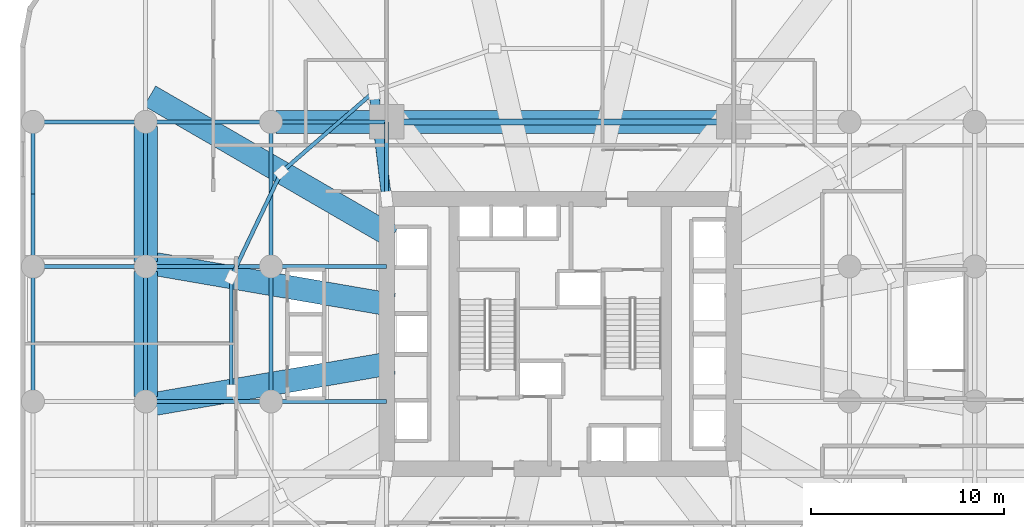
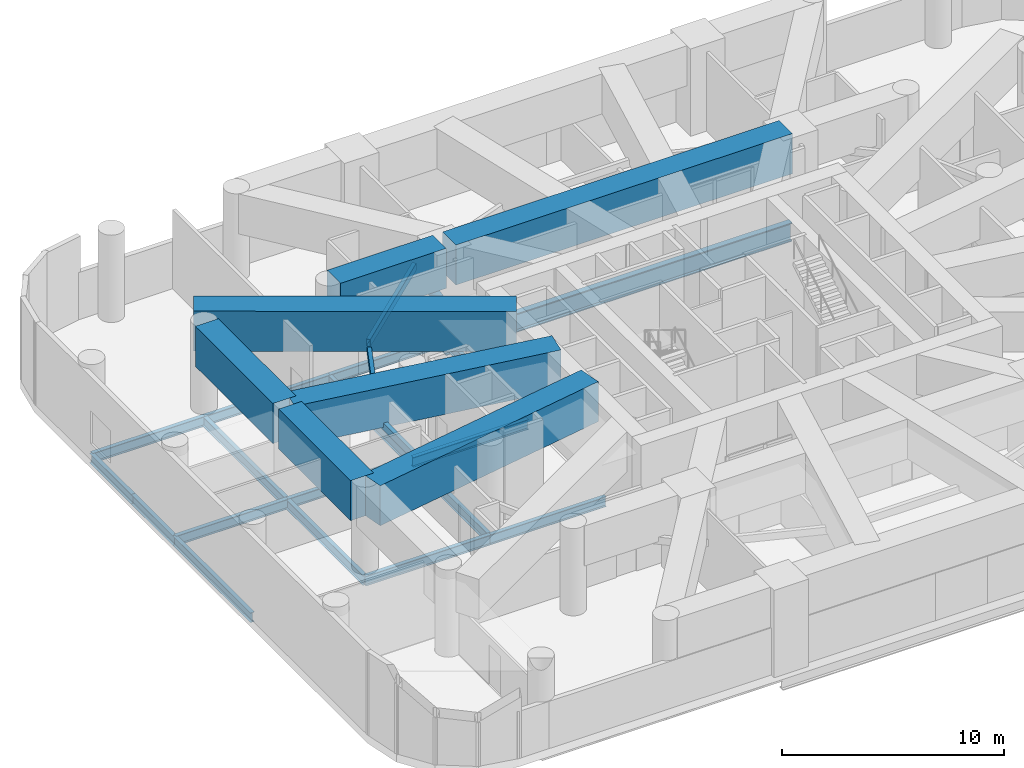
# One storey, part 3 of 10: 24 beams, 4 members.
"""IFC4 building model written with IfcOpenShell, lengths in metres."""

import ifcopenshell
import ifcopenshell.guid

model = None  # the IFC model being written
_history = None  # IfcOwnerHistory: only IFC2X3 demands one
_inside = {}  # id of a spatial element -> (the spatial element, [elements in it])
_under = {}  # id of a project, library or spatial element -> (it, [spatial elements below it])
_declared = {}  # id of a project -> (the project, [libraries it declares])
_typed = {}  # id of a type object -> (the type object, [elements of that type])
_made_of = {}  # id of a material, layer set ... -> (it, [elements and type objects made of it])


def new_model(schema):
    """Start an empty IFC model of exactly this schema.

    Asked for "IFC4X3", IfcOpenShell would pick the latest addendum, in which some entities
    have other attributes; the version numbers below select the first issue.
    IFC2X3 requires an IfcOwnerHistory on every rooted entity: one is made here for all.
    """
    global model, _history
    if schema == "IFC4X3":
        model = ifcopenshell.file(schema_version=(4, 3, 0, 0))
    else:
        model = ifcopenshell.file(schema=schema)
    _inside.clear()
    _under.clear()
    _declared.clear()
    _typed.clear()
    _made_of.clear()
    _history = None
    if model.schema == "IFC2X3":
        org = make("IfcOrganization", Name="unknown")
        user = make(
            "IfcPersonAndOrganization",
            ThePerson=make("IfcPerson", FamilyName="unknown"),
            TheOrganization=org,
        )
        app = make(
            "IfcApplication",
            ApplicationDeveloper=org,
            Version="unknown",
            ApplicationFullName="unknown",
            ApplicationIdentifier="unknown",
        )
        _history = make(
            "IfcOwnerHistory",
            OwningUser=user,
            OwningApplication=app,
            ChangeAction="ADDED",
            CreationDate=0,
        )
    return model


def make(cls, **values):
    """One entity of the class cls with the attributes given. An attribute that is None is left unset."""
    return model.create_entity(
        cls, **{name: value for name, value in values.items() if value is not None}
    )


def rooted(cls, **values):
    """An entity with a GlobalId (a new one), such as an element, a storey or a relation."""
    return make(cls, GlobalId=ifcopenshell.guid.new(), OwnerHistory=_history, **values)


def si_unit(unit_type, name, prefix=None):
    """IfcSIUnit, for example si_unit("LENGTHUNIT", "METRE", prefix="MILLI")."""
    return make("IfcSIUnit", UnitType=unit_type, Prefix=prefix, Name=name)


def assignment(units):
    """IfcUnitAssignment: the units of a project."""
    return None if units is None else make("IfcUnitAssignment", Units=units)


def point(xyz):
    """IfcCartesianPoint."""
    return None if xyz is None else make("IfcCartesianPoint", Coordinates=xyz)


def direction(xyz):
    """IfcDirection."""
    return None if xyz is None else make("IfcDirection", DirectionRatios=xyz)


def frame(location, z_axis=None, x_axis=None):
    """IfcAxis2Placement3D, a coordinate frame: its origin and axes. An axis left out is left unset."""
    return make(
        "IfcAxis2Placement3D",
        Location=point(location),
        Axis=direction(z_axis),
        RefDirection=direction(x_axis),
    )


def frame_2d(location, x_axis=None):
    """IfcAxis2Placement2D, a coordinate frame in the plane: its origin and x axis."""
    return make(
        "IfcAxis2Placement2D", Location=point(location), RefDirection=direction(x_axis)
    )


def origin():
    """The frame at (0, 0, 0) with its axes left unset."""
    return frame((0.0, 0.0, 0.0))


def origin_2d():
    """The frame at (0, 0) in the plane with its x axis left unset."""
    return frame_2d((0.0, 0.0))


def place(relative_to, where):
    """IfcLocalPlacement: puts the frame where relative to a parent placement (None: the world)."""
    return make(
        "IfcLocalPlacement", PlacementRelTo=relative_to, RelativePlacement=where
    )


def context(
    kind, dimensions, precision=None, world=None, true_north=None, identifier=None
):
    """IfcGeometricRepresentationContext, for example the 3D "Model" context."""
    return make(
        "IfcGeometricRepresentationContext",
        ContextIdentifier=identifier,
        ContextType=kind,
        CoordinateSpaceDimension=dimensions,
        Precision=precision,
        WorldCoordinateSystem=world,
        TrueNorth=true_north,
    )


def subcontext(parent, identifier, kind, view, scale=None):
    """IfcGeometricRepresentationSubContext, for example "Body" below "Model"."""
    return make(
        "IfcGeometricRepresentationSubContext",
        ContextIdentifier=identifier,
        ContextType=kind,
        ParentContext=parent,
        TargetScale=scale,
        TargetView=view,
    )


def project(units=None, contexts=None):
    """IfcProject with its units and contexts."""
    return rooted(
        "IfcProject",
        Name="project",
        RepresentationContexts=contexts,
        UnitsInContext=assignment(units),
    )


def spatial(cls, under=None, at=None, **own):
    """A site, building, storey or space (cls), placed at a placement, below another one or the project."""
    s = rooted(cls, ObjectPlacement=at, **own)
    if under is not None:
        _under.setdefault(under.id(), (under, []))[1].append(s)
    return s


def profile(cls, at=None, kind="AREA", **sizes):
    """A parametric profile (cls). Its sizes go by their IFC names, for example OverallWidth=200.0."""
    return make(cls, ProfileType=kind, Position=at, **sizes)


def rectangle(**sizes):
    """IfcRectangleProfileDef."""
    return profile("IfcRectangleProfileDef", **sizes)


def hollow_rectangle(**sizes):
    """IfcRectangleHollowProfileDef."""
    return profile("IfcRectangleHollowProfileDef", **sizes)


def hollow_circle(**sizes):
    """IfcCircleHollowProfileDef."""
    return profile("IfcCircleHollowProfileDef", **sizes)


def i_section(**sizes):
    """IfcIShapeProfileDef."""
    return profile("IfcIShapeProfileDef", **sizes)


def extrude(swept, where, along, depth):
    """IfcExtrudedAreaSolid: the profile swept, set in the frame where, extruded along a direction by depth."""
    return make(
        "IfcExtrudedAreaSolid",
        SweptArea=swept,
        Position=where,
        ExtrudedDirection=direction(along),
        Depth=depth,
    )


def shape(context_of_items, identifier, shape_type, items):
    """IfcShapeRepresentation: the items that make up one representation, for example the "Body"."""
    return make(
        "IfcShapeRepresentation",
        ContextOfItems=context_of_items,
        RepresentationIdentifier=identifier,
        RepresentationType=shape_type,
        Items=items,
    )


def material(Name=None, Category=None):
    """IfcMaterial."""
    return make("IfcMaterial", Name=Name, Category=Category)


def material_profile(
    of_material, cross_section, Name=None, Category=None, Priority=None
):
    """IfcMaterialProfile: a cross section and its material."""
    return make(
        "IfcMaterialProfile",
        Name=Name,
        Material=of_material,
        Profile=cross_section,
        Priority=Priority,
        Category=Category,
    )


def profile_set(profiles, Name=None, composite=None):
    """IfcMaterialProfileSet."""
    return make(
        "IfcMaterialProfileSet",
        Name=Name,
        MaterialProfiles=profiles,
        CompositeProfile=composite,
    )


def made_of(thing, what):
    """Note that an element or type object is made of a material, layer set ...; save() writes the relation."""
    if what is not None:
        _made_of.setdefault(what.id(), (what, []))[1].append(thing)
    return thing


def type_object(cls, material=None, **own):
    """A type object (cls), such as IfcWallType, which elements share."""
    return made_of(rooted(cls, **own), material)


def element(
    cls,
    number,
    at=None,
    inside=None,
    cuts=None,
    type_object=None,
    material=None,
    context=None,
    identifier="Body",
    shape_type=None,
    held_by="IfcProductDefinitionShape",
    body=None,
    shapes=None,
    **own,
):
    """One element of the class cls, such as IfcWall. Its Tag is "e" and its number.

    at: its placement. inside: the storey or other place that contains it. cuts: it is an
    opening in that element (IfcRelVoidsElement). A single representation is given by context,
    identifier, shape_type and body (its items); several are given by shapes. held_by: the class
    of the entity that holds the representations. save() writes the other relations.
    """
    e = rooted(cls, Tag="e%d" % number, ObjectPlacement=at, **own)
    if body is not None:
        shapes = [shape(context, identifier, shape_type, body)]
    if shapes is not None:
        e.Representation = make(held_by, Representations=shapes)
    if inside is not None:
        _inside.setdefault(inside.id(), (inside, []))[1].append(e)
    if cuts is not None:
        rooted(
            "IfcRelVoidsElement", RelatingBuildingElement=cuts, RelatedOpeningElement=e
        )
    if type_object is not None:
        _typed.setdefault(type_object.id(), (type_object, []))[1].append(e)
    return made_of(e, material)


def aggregate(whole, parts):
    """IfcRelAggregates: a whole, such as a stair, and the parts it consists of."""
    return rooted("IfcRelAggregates", RelatingObject=whole, RelatedObjects=parts)


def save(model, path):
    """Write the relations noted so far, then the file.

    IfcRelAggregates (storeys below a building ...), IfcRelContainedInSpatialStructure (elements
    in a storey), IfcRelDefinesByType, IfcRelAssociatesMaterial and IfcRelDeclares: one each for
    every whole, place, type object, material and project.
    """
    for whole, parts in _under.values():
        aggregate(whole, parts)
    for where, things in _inside.values():
        rooted(
            "IfcRelContainedInSpatialStructure",
            RelatedElements=things,
            RelatingStructure=where,
        )
    for kind, things in _typed.values():
        rooted("IfcRelDefinesByType", RelatedObjects=things, RelatingType=kind)
    for what, things in _made_of.values():
        rooted("IfcRelAssociatesMaterial", RelatedObjects=things, RelatingMaterial=what)
    for by, libraries in _declared.values():
        rooted("IfcRelDeclares", RelatingContext=by, RelatedDefinitions=libraries)
    model.write(path)


model = new_model("IFC4")

# Units and contexts
model_context = context("Model", 3, precision=1e-05, world=origin(), true_north=direction((0.0, 1.0)))
body_context = subcontext(model_context, "Body", "Model", "MODEL_VIEW")
ifc_project = project(units=[si_unit("LENGTHUNIT", "METRE"), si_unit("AREAUNIT", "SQUARE_METRE"), si_unit("VOLUMEUNIT", "CUBIC_METRE"), si_unit("PLANEANGLEUNIT", "RADIAN"), si_unit("MASSUNIT", "GRAM", prefix="KILO")], contexts=[model_context])

# Site, building, storey
site_placement = place(None, origin())
site = spatial("IfcSite", under=ifc_project, at=site_placement, CompositionType="ELEMENT")
building_placement = place(site_placement, origin())
building = spatial("IfcBuilding", under=site, at=building_placement, Name="Veldorim Arch Residences", CompositionType="ELEMENT")
storey_placement = place(building_placement, frame((0.0, 0.0, 20.0)))
storey = spatial("IfcBuildingStorey", under=building, at=storey_placement, Name="L05", CompositionType="ELEMENT", Elevation=20.0)

# Member
ifc_material_1 = material(Name="Steel S460", Category="steel")
ifc_material_profile_1 = material_profile(ifc_material_1, hollow_circle(Radius=0.25390625, WallThickness=0.034912109375, at=origin_2d()), Name="CHS508x35")
ifc_profile_set_1 = profile_set([ifc_material_profile_1], Name="Steel S460")
member_type_1 = type_object("IfcMemberType", Name="Crown Diagrid CHS508x35", PredefinedType="BRACE", material=ifc_profile_set_1)
member_1_placement = place(storey_placement, frame((23.0, 31.0, 0.35009765625), z_axis=(-0.110259508846, 0.918318032312, 0.380177369446), x_axis=(-0.992868990307, -0.119210603917, 0.0)))
element("IfcMember", 1, at=member_1_placement, inside=storey, type_object=member_type_1, Name="L05 corner transfer compression strut 04", PredefinedType="BRACE", context=body_context, shape_type="SweptSolid", body=[
    extrude(hollow_circle(Radius=0.25390625, WallThickness=0.034912109375, at=origin_2d()), origin(), (0.0, 0.0, 1.0), 6.04931640625),
])

# Beams
ifc_material_2 = material(Name="Concrete C60/75", Category="concrete")
ifc_material_profile_2 = material_profile(ifc_material_2, rectangle(XDim=1.199951171875, YDim=2.199951171875, at=origin_2d()), Name="RC_RECT_1200x2200")
ifc_profile_set_2 = profile_set([ifc_material_profile_2], Name="Concrete C60/75")
beam_type_1 = type_object("IfcBeamType", Name="Reinforced Concrete TRANSFER GIRDER RC_RECT_1200x2200", PredefinedType="USERDEFINED", material=ifc_profile_set_2)
beam_1_placement = place(storey_placement, frame((17.25, 35.0, 3.699951171875), z_axis=(1.0, 0.0, 0.0), x_axis=(0.0, 1.0, 0.0)))
element("IfcBeam", 2, at=beam_1_placement, inside=storey, type_object=beam_type_1, Name="L05 primary east-west transfer girder Y=35.00 W", ObjectType="TRANSFER GIRDER", PredefinedType="USERDEFINED", context=body_context, shape_type="SweptSolid", body=[
    extrude(rectangle(XDim=1.199951171875, YDim=2.199951171875, at=origin_2d()), origin(), (0.0, 0.0, 1.0), 5.5),
])
beam_2_placement = place(storey_placement, frame((23.25, 35.0, 3.699951171875), z_axis=(1.0, 0.0, 0.0), x_axis=(0.0, 1.0, 0.0)))
element("IfcBeam", 3, at=beam_2_placement, inside=storey, type_object=beam_type_1, Name="L05 primary east-west transfer girder Y=35.00 M", ObjectType="TRANSFER GIRDER", PredefinedType="USERDEFINED", context=body_context, shape_type="SweptSolid", body=[
    extrude(rectangle(XDim=1.199951171875, YDim=2.199951171875, at=origin_2d()), origin(), (0.0, 0.0, 1.0), 17.5),
])
beam_3_placement = place(storey_placement, frame((10.5, 20.75, 3.699951171875), z_axis=(0.0, 1.0, 0.0), x_axis=(-1.0, 0.0, 0.0)))
element("IfcBeam", 4, at=beam_3_placement, inside=storey, type_object=beam_type_1, Name="L05 primary north-south transfer girder X=10.5 M", ObjectType="TRANSFER GIRDER", PredefinedType="USERDEFINED", context=body_context, shape_type="SweptSolid", body=[
    extrude(rectangle(XDim=1.199951171875, YDim=2.199951171875, at=origin_2d()), origin(), (0.0, 0.0, 1.0), 6.5),
])
beam_4_placement = place(storey_placement, frame((10.5, 27.75, 3.699951171875), z_axis=(0.0, 1.0, 0.0), x_axis=(-1.0, 0.0, 0.0)))
element("IfcBeam", 5, at=beam_4_placement, inside=storey, type_object=beam_type_1, Name="L05 primary north-south transfer girder X=10.5 N", ObjectType="TRANSFER GIRDER", PredefinedType="USERDEFINED", context=body_context, shape_type="SweptSolid", body=[
    extrude(rectangle(XDim=1.199951171875, YDim=2.199951171875, at=origin_2d()), origin(), (0.0, 0.0, 1.0), 7.0),
])
beam_5_placement = place(storey_placement, frame((23.302734375, 29.043212890625, 3.699951171875), z_axis=(-0.865091774867, 0.501613617296, 0.0), x_axis=(-0.501613617296, -0.865091774867, 0.0)))
element("IfcBeam", 6, at=beam_5_placement, inside=storey, type_object=beam_type_1, Name="L05 radial transfer girder 07", ObjectType="TRANSFER GIRDER", PredefinedType="USERDEFINED", context=body_context, shape_type="SweptSolid", body=[
    extrude(rectangle(XDim=1.199951171875, YDim=2.199951171875, at=origin_2d()), origin(), (0.0, 0.0, 1.0), 14.54931640625),
])
for number, where, z_axis, x_axis, name in (
    (7, (23.344970703125, 25.494140625, 3.699951171875), (-0.985428897268, 0.170087884427, 0.0), (-0.170087884427, -0.985428897268, 0.0), "L05 radial transfer girder 08"),
    (8, (23.344970703125, 22.505859375, 3.699951171875), (-0.985428897268, -0.170087884427, 0.0), (0.170087884427, -0.985428897268, 0.0), "L05 radial transfer girder 09"),
):
    element("IfcBeam", number, at=place(storey_placement, frame(where, z_axis=z_axis, x_axis=x_axis)), inside=storey, type_object=beam_type_1, Name=name, ObjectType="TRANSFER GIRDER", PredefinedType="USERDEFINED", context=body_context, shape_type="SweptSolid", body=[
        extrude(rectangle(XDim=1.199951171875, YDim=2.199951171875, at=origin_2d()), origin(), (0.0, 0.0, 1.0), 12.784912109375),
    ])
ifc_material_3 = material(Name="Steel S355", Category="steel")
ifc_material_profile_3 = material_profile(ifc_material_3, i_section(OverallWidth=0.2099609375, OverallDepth=0.53662109375, WebThickness=0.0107421875, FlangeThickness=0.017333984375, at=origin_2d()), Name="UB533x210x101")
ifc_profile_set_3 = profile_set([ifc_material_profile_3], Name="Steel S355")
beam_type_2 = type_object("IfcBeamType", Name="Structural Steel Beam UB533x210x101", PredefinedType="BEAM", material=ifc_profile_set_3)
beam_6_placement = place(storey_placement, frame((4.64990234375, 20.5, -0.718505859375), z_axis=(0.0, 1.0, 0.0), x_axis=(-1.0, 0.0, 0.0)))
element("IfcBeam", 9, at=beam_6_placement, inside=storey, type_object=beam_type_2, Name="L05 north-south floor beam (X=4.7, 20.5-27.5)", PredefinedType="BEAM", context=body_context, shape_type="SweptSolid", body=[
    extrude(i_section(OverallWidth=0.2099609375, OverallDepth=0.53662109375, WebThickness=0.0107421875, FlangeThickness=0.017333984375, at=origin_2d()), origin(), (0.0, 0.0, 1.0), 7.0),
])
for number, where, z_axis, x_axis, name in (
    (10, (4.64990234375, 27.5, -0.718505859375), (0.0, 1.0, 0.0), (-1.0, 0.0, 0.0), "L05 north-south floor beam (X=4.7, 27.5-31.2)"),
    (11, (4.64990234375, 31.25, -0.718505859375), (0.0, 1.0, 0.0), (-1.0, 0.0, 0.0), "L05 north-south floor beam (X=4.7, 31.2-35.0)"),
):
    element("IfcBeam", number, at=place(storey_placement, frame(where, z_axis=z_axis, x_axis=x_axis)), inside=storey, type_object=beam_type_2, Name=name, PredefinedType="BEAM", context=body_context, shape_type="SweptSolid", body=[
        extrude(i_section(OverallWidth=0.2099609375, OverallDepth=0.53662109375, WebThickness=0.0107421875, FlangeThickness=0.017333984375, at=origin_2d()), origin(), (0.0, 0.0, 1.0), 3.75),
    ])
beam_7_placement = place(storey_placement, frame((10.5, 20.5, -0.718505859375), z_axis=(0.0, 1.0, 0.0), x_axis=(-1.0, 0.0, 0.0)))
element("IfcBeam", 12, at=beam_7_placement, inside=storey, type_object=beam_type_2, Name="L05 north-south floor beam (X=10.5, 20.5-27.5)", PredefinedType="BEAM", context=body_context, shape_type="SweptSolid", body=[
    extrude(i_section(OverallWidth=0.2099609375, OverallDepth=0.53662109375, WebThickness=0.0107421875, FlangeThickness=0.017333984375, at=origin_2d()), origin(), (0.0, 0.0, 1.0), 7.0),
])
beam_8_placement = place(storey_placement, frame((10.5, 27.5, -0.718505859375), z_axis=(0.0, 1.0, 0.0), x_axis=(-1.0, 0.0, 0.0)))
element("IfcBeam", 13, at=beam_8_placement, inside=storey, type_object=beam_type_2, Name="L05 north-south floor beam (X=10.5, 27.5-35.0)", PredefinedType="BEAM", context=body_context, shape_type="SweptSolid", body=[
    extrude(i_section(OverallWidth=0.2099609375, OverallDepth=0.53662109375, WebThickness=0.0107421875, FlangeThickness=0.017333984375, at=origin_2d()), origin(), (0.0, 0.0, 1.0), 7.5),
])
beam_9_placement = place(storey_placement, frame((17.0, 20.5, -0.718505859375), z_axis=(0.0, 1.0, 0.0), x_axis=(-1.0, 0.0, 0.0)))
element("IfcBeam", 14, at=beam_9_placement, inside=storey, type_object=beam_type_2, Name="L05 north-south floor beam (X=17.0, 20.5-27.5)", PredefinedType="BEAM", context=body_context, shape_type="SweptSolid", body=[
    extrude(i_section(OverallWidth=0.2099609375, OverallDepth=0.53662109375, WebThickness=0.0107421875, FlangeThickness=0.017333984375, at=origin_2d()), origin(), (0.0, 0.0, 1.0), 7.0),
])
beam_10_placement = place(storey_placement, frame((17.0, 27.5, -0.718505859375), z_axis=(0.0, 1.0, 0.0), x_axis=(-1.0, 0.0, 0.0)))
element("IfcBeam", 15, at=beam_10_placement, inside=storey, type_object=beam_type_2, Name="L05 north-south floor beam (X=17.0, 27.5-35.0)", PredefinedType="BEAM", context=body_context, shape_type="SweptSolid", body=[
    extrude(i_section(OverallWidth=0.2099609375, OverallDepth=0.53662109375, WebThickness=0.0107421875, FlangeThickness=0.017333984375, at=origin_2d()), origin(), (0.0, 0.0, 1.0), 7.5),
])
beam_11_placement = place(storey_placement, frame((23.0, 31.0, -0.718505859375), z_axis=(0.0, 1.0, 0.0), x_axis=(-1.0, 0.0, 0.0)))
element("IfcBeam", 16, at=beam_11_placement, inside=storey, type_object=beam_type_2, Name="L05 north-south floor beam (X=23.0, 31.0-35.0)", PredefinedType="BEAM", context=body_context, shape_type="SweptSolid", body=[
    extrude(i_section(OverallWidth=0.2099609375, OverallDepth=0.53662109375, WebThickness=0.0107421875, FlangeThickness=0.017333984375, at=origin_2d()), origin(), (0.0, 0.0, 1.0), 4.0),
])
ifc_material_4 = material(Name="Steel S355", Category="steel")
ifc_material_profile_4 = material_profile(ifc_material_4, i_section(OverallWidth=0.2119140625, OverallDepth=0.54443359375, WebThickness=0.0126953125, FlangeThickness=0.021240234375, at=origin_2d()), Name="UB533x210x122")
ifc_profile_set_4 = profile_set([ifc_material_profile_4], Name="Steel S355")
beam_type_3 = type_object("IfcBeamType", Name="Structural Steel Beam UB533x210x122", PredefinedType="BEAM", material=ifc_profile_set_4)
beam_12_placement = place(storey_placement, frame((10.5, 20.5, -0.72216796875), z_axis=(1.0, 0.0, 0.0), x_axis=(0.0, 1.0, 0.0)))
element("IfcBeam", 17, at=beam_12_placement, inside=storey, type_object=beam_type_3, Name="L05 east-west floor beam (10.5-17.0, Y=20.5)", PredefinedType="BEAM", context=body_context, shape_type="SweptSolid", body=[
    extrude(i_section(OverallWidth=0.2119140625, OverallDepth=0.54443359375, WebThickness=0.0126953125, FlangeThickness=0.021240234375, at=origin_2d()), origin(), (0.0, 0.0, 1.0), 6.5),
])
beam_13_placement = place(storey_placement, frame((17.0, 20.5, -0.72216796875), z_axis=(1.0, 0.0, 0.0), x_axis=(0.0, 1.0, 0.0)))
element("IfcBeam", 18, at=beam_13_placement, inside=storey, type_object=beam_type_3, Name="L05 east-west floor beam (17.0-23.0, Y=20.5)", PredefinedType="BEAM", context=body_context, shape_type="SweptSolid", body=[
    extrude(i_section(OverallWidth=0.2119140625, OverallDepth=0.54443359375, WebThickness=0.0126953125, FlangeThickness=0.021240234375, at=origin_2d()), origin(), (0.0, 0.0, 1.0), 6.0),
])
beam_14_placement = place(storey_placement, frame((4.64990234375, 27.5, -0.72216796875), z_axis=(1.0, 0.0, 0.0), x_axis=(0.0, 1.0, 0.0)))
element("IfcBeam", 19, at=beam_14_placement, inside=storey, type_object=beam_type_3, Name="L05 east-west floor beam (4.7-10.5, Y=27.5)", PredefinedType="BEAM", context=body_context, shape_type="SweptSolid", body=[
    extrude(i_section(OverallWidth=0.2119140625, OverallDepth=0.54443359375, WebThickness=0.0126953125, FlangeThickness=0.021240234375, at=origin_2d()), origin(), (0.0, 0.0, 1.0), 5.85009765625),
])
beam_15_placement = place(storey_placement, frame((10.5, 27.5, -0.72216796875), z_axis=(1.0, 0.0, 0.0), x_axis=(0.0, 1.0, 0.0)))
element("IfcBeam", 20, at=beam_15_placement, inside=storey, type_object=beam_type_3, Name="L05 east-west floor beam (10.5-17.0, Y=27.5)", PredefinedType="BEAM", context=body_context, shape_type="SweptSolid", body=[
    extrude(i_section(OverallWidth=0.2119140625, OverallDepth=0.54443359375, WebThickness=0.0126953125, FlangeThickness=0.021240234375, at=origin_2d()), origin(), (0.0, 0.0, 1.0), 6.5),
])
beam_16_placement = place(storey_placement, frame((17.0, 27.5, -0.72216796875), z_axis=(1.0, 0.0, 0.0), x_axis=(0.0, 1.0, 0.0)))
element("IfcBeam", 21, at=beam_16_placement, inside=storey, type_object=beam_type_3, Name="L05 east-west floor beam (17.0-23.0, Y=27.5)", PredefinedType="BEAM", context=body_context, shape_type="SweptSolid", body=[
    extrude(i_section(OverallWidth=0.2119140625, OverallDepth=0.54443359375, WebThickness=0.0126953125, FlangeThickness=0.021240234375, at=origin_2d()), origin(), (0.0, 0.0, 1.0), 6.0),
])
beam_17_placement = place(storey_placement, frame((4.64990234375, 35.0, -0.72216796875), z_axis=(1.0, 0.0, 0.0), x_axis=(0.0, 1.0, 0.0)))
element("IfcBeam", 22, at=beam_17_placement, inside=storey, type_object=beam_type_3, Name="L05 east-west floor beam (4.7-10.5, Y=35.0)", PredefinedType="BEAM", context=body_context, shape_type="SweptSolid", body=[
    extrude(i_section(OverallWidth=0.2119140625, OverallDepth=0.54443359375, WebThickness=0.0126953125, FlangeThickness=0.021240234375, at=origin_2d()), origin(), (0.0, 0.0, 1.0), 5.85009765625),
])
beam_18_placement = place(storey_placement, frame((10.5, 35.0, -0.72216796875), z_axis=(1.0, 0.0, 0.0), x_axis=(0.0, 1.0, 0.0)))
element("IfcBeam", 23, at=beam_18_placement, inside=storey, type_object=beam_type_3, Name="L05 east-west floor beam (10.5-17.0, Y=35.0)", PredefinedType="BEAM", context=body_context, shape_type="SweptSolid", body=[
    extrude(i_section(OverallWidth=0.2119140625, OverallDepth=0.54443359375, WebThickness=0.0126953125, FlangeThickness=0.021240234375, at=origin_2d()), origin(), (0.0, 0.0, 1.0), 6.5),
])
beam_19_placement = place(storey_placement, frame((17.0, 35.0, -0.72216796875), z_axis=(1.0, 0.0, 0.0), x_axis=(0.0, 1.0, 0.0)))
element("IfcBeam", 24, at=beam_19_placement, inside=storey, type_object=beam_type_3, Name="L05 east-west floor beam (17.0-23.0, Y=35.0)", PredefinedType="BEAM", context=body_context, shape_type="SweptSolid", body=[
    extrude(i_section(OverallWidth=0.2119140625, OverallDepth=0.54443359375, WebThickness=0.0126953125, FlangeThickness=0.021240234375, at=origin_2d()), origin(), (0.0, 0.0, 1.0), 6.0),
])
ifc_material_5 = material(Name="Steel S460", Category="steel")
ifc_material_profile_5 = material_profile(ifc_material_5, i_section(OverallWidth=0.305419921875, OverallDepth=1.02587890625, WebThickness=0.02685546875, FlangeThickness=0.053955078125, at=origin_2d()), Name="UB1016x305x437")
ifc_profile_set_5 = profile_set([ifc_material_profile_5], Name="Steel S460")
beam_type_4 = type_object("IfcBeamType", Name="Structural Steel GIRDER UB1016x305x437", PredefinedType="USERDEFINED", material=ifc_profile_set_5)
beam_20_placement = place(storey_placement, frame((23.0, 35.0, -0.962890625), z_axis=(1.0, 0.0, 0.0), x_axis=(0.0, 1.0, 0.0)))
element("IfcBeam", 25, at=beam_20_placement, inside=storey, type_object=beam_type_4, Name="L05 east-west floor beam (23.0-41.0, Y=35.0)", ObjectType="GIRDER", PredefinedType="USERDEFINED", context=body_context, shape_type="SweptSolid", body=[
    extrude(i_section(OverallWidth=0.305419921875, OverallDepth=1.02587890625, WebThickness=0.02685546875, FlangeThickness=0.053955078125, at=origin_2d()), origin(), (0.0, 0.0, 1.0), 18.0),
])

# Members
ifc_material_6 = material(Name="Steel S460", Category="steel")
ifc_material_profile_6 = material_profile(ifc_material_6, hollow_rectangle(XDim=0.199951171875, YDim=0.39990234375, WallThickness=0.01611328125, at=origin_2d()), Name="RHS400x200x16")
ifc_profile_set_6 = profile_set([ifc_material_profile_6], Name="Steel S460")
member_type_2 = type_object("IfcMemberType", Name="Truss Chord RHS400x200x16", PredefinedType="CHORD", material=ifc_profile_set_6)
member_2_placement = place(storey_placement, frame((22.3330078125, 36.55517578125, 2.64990234375), z_axis=(-0.755256756497, -0.655429044035, 0.0), x_axis=(0.655429044035, -0.755256756497, 0.0)))
element("IfcMember", 26, at=member_2_placement, inside=storey, type_object=member_type_2, Name="L05 transfer ring tie chord 06", PredefinedType="CHORD", context=body_context, shape_type="SweptSolid", body=[
    extrude(hollow_rectangle(XDim=0.199951171875, YDim=0.39990234375, WallThickness=0.01611328125, at=origin_2d()), origin(), (0.0, 0.0, 1.0), 6.356201171875),
])
member_3_placement = place(storey_placement, frame((17.532470703125, 32.38916015625, 2.64990234375), z_axis=(-0.430753562194, -0.902469594312, 0.0), x_axis=(0.902469594312, -0.430753562194, 0.0)))
element("IfcMember", 27, at=member_3_placement, inside=storey, type_object=member_type_2, Name="L05 transfer ring tie chord 07", PredefinedType="CHORD", context=body_context, shape_type="SweptSolid", body=[
    extrude(hollow_rectangle(XDim=0.199951171875, YDim=0.39990234375, WallThickness=0.01611328125, at=origin_2d()), origin(), (0.0, 0.0, 1.0), 6.03173828125),
])
member_4_placement = place(storey_placement, frame((14.934326171875, 26.94580078125, 2.64990234375), z_axis=(0.0, -1.0, 0.0), x_axis=(1.0, 0.0, 0.0)))
element("IfcMember", 28, at=member_4_placement, inside=storey, type_object=member_type_2, Name="L05 transfer ring tie chord 08", PredefinedType="CHORD", context=body_context, shape_type="SweptSolid", body=[
    extrude(hollow_rectangle(XDim=0.199951171875, YDim=0.39990234375, WallThickness=0.01611328125, at=origin_2d()), origin(), (0.0, 0.0, 1.0), 5.8916015625),
])

save(model, "model.ifc")
